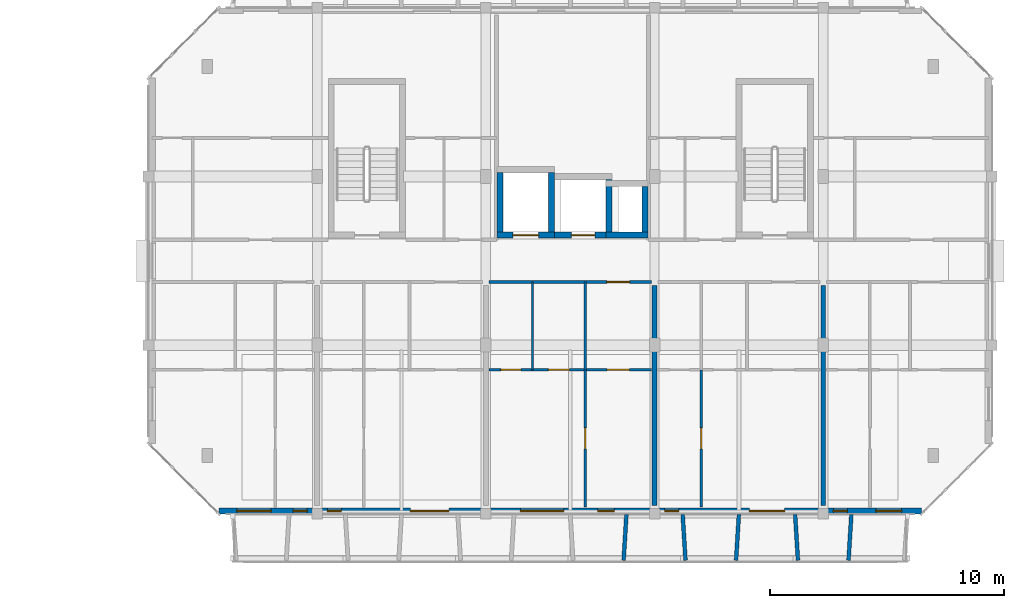
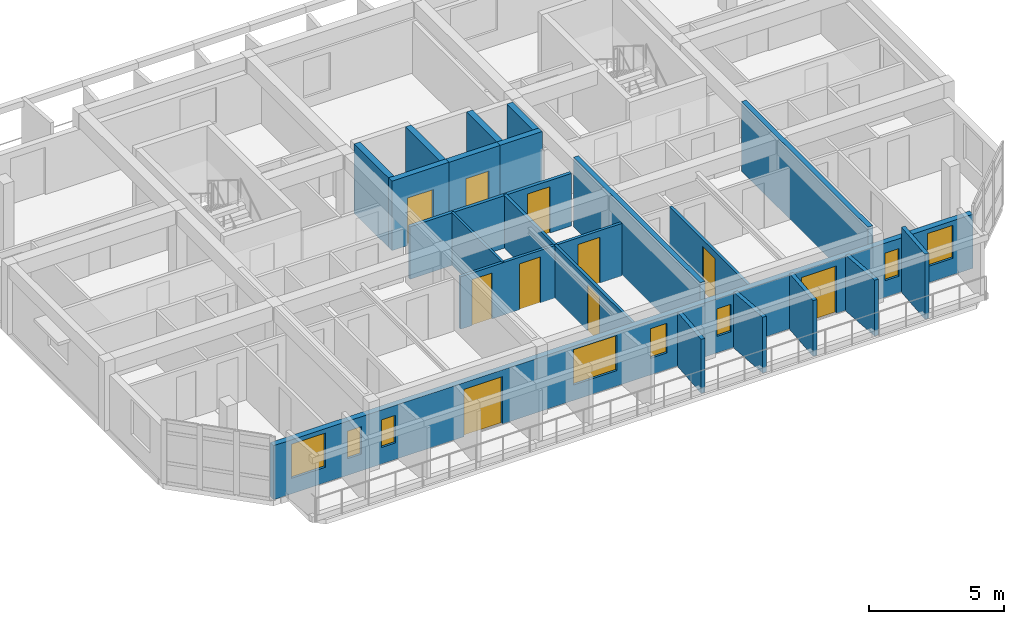
# One storey, part 17 of 31: 21 walls, 10 doors, 8 windows, 18 openings.
"""IFC4 building model written with IfcOpenShell, lengths in metres."""

from ifc_helpers import new_model, si_unit, direction, frame, frame_2d, origin, place, context, subcontext, project, spatial, rectangle, extrude, material, layer, layer_set, type_object, element, fill, save


model = new_model("IFC4")

# Units and contexts
model_context = context("Model", 3, precision=1e-05, world=origin(), true_north=direction((0.0, 1.0)))
body_context = subcontext(model_context, "Body", "Model", "MODEL_VIEW")
ifc_project = project(units=[si_unit("LENGTHUNIT", "METRE"), si_unit("AREAUNIT", "SQUARE_METRE"), si_unit("VOLUMEUNIT", "CUBIC_METRE"), si_unit("PLANEANGLEUNIT", "RADIAN"), si_unit("MASSUNIT", "GRAM", prefix="KILO")], contexts=[model_context])

# Site, building, storey
site_placement = place(None, origin())
site = spatial("IfcSite", under=ifc_project, at=site_placement, CompositionType="ELEMENT")
building_placement = place(site_placement, origin())
building = spatial("IfcBuilding", under=site, at=building_placement, Name="Ochrevale Crest", CompositionType="ELEMENT")
storey_placement = place(building_placement, frame((0.0, 0.0, 37.050048828125)))
storey = spatial("IfcBuildingStorey", under=building, at=storey_placement, Name="L11", CompositionType="ELEMENT", Elevation=37.050048828125)

# Wall, opening, door
ifc_material_1 = material(Name="Gypsum plasterboard", Category="gypsum")
ifc_layer_1 = layer(ifc_material_1, 0.139892578125)
ifc_layer_set_1 = layer_set([ifc_layer_1], Name="Gypsum plasterboard")
wall_type_1 = type_object("IfcWallType", Name="WL-COR-140", PredefinedType="PARTITIONING", material=ifc_layer_set_1)
wall_1_placement = place(storey_placement, frame((144.139892578125, 24.300048828125, 0.0), z_axis=(0.0, 0.0, 1.0), x_axis=(1.0, 0.0, 0.0)))
wall_1 = element("IfcWall", 1, at=wall_1_placement, inside=storey, type_object=wall_type_1, Name="Apartment C-L11-U3 corridor wall", PredefinedType="PARTITIONING", context=body_context, shape_type="SweptSolid", body=[
    extrude(rectangle(XDim=6.920166015625, YDim=0.139892578125, at=frame_2d((3.4599609375, 0.0))), origin(), (0.0, 0.0, 1.0), 2.3798828125),
])
opening_1_placement = place(wall_1_placement, frame((6.0, 0.0, 0.0), z_axis=(0.0, 0.0, 1.0), x_axis=(-1.0, 0.0, 0.0)))
opening_1 = element("IfcOpeningElement", 2, at=opening_1_placement, cuts=wall_1, Name="Opening FD01", PredefinedType="OPENING", context=body_context, shape_type="SweptSolid", body=[
    extrude(rectangle(XDim=0.97998046875, YDim=2.10009765625, at=frame_2d((0.489990234375, 1.050048828125))), frame((0.0, 0.080078125, 0.0), z_axis=(0.0, -1.0, 0.0), x_axis=(1.0, 0.0, 0.0)), (0.0, 0.0, 1.0), 0.159912109375),
])
ifc_material_2 = material(Name="Solid-core FSC hardwood", Category="wood")
door_type_1 = type_object("IfcDoorType", Name="DR-APT-950", OperationType="NOTDEFINED", PredefinedType="DOOR", material=ifc_material_2)
door_1_placement = place(opening_1_placement, origin())
door_1 = element("IfcDoor", 3, at=door_1_placement, inside=storey, type_object=door_type_1, Name="Apartment C-L11-U3 entrance door", OperationType="SINGLE_SWING_RIGHT", OverallHeight=2.10009765625, OverallWidth=0.97998046875, PredefinedType="DOOR", context=body_context, shape_type="SweptSolid", body=[
    extrude(rectangle(XDim=0.97998046875, YDim=2.10009765625, at=frame_2d((0.489990234375, 1.050048828125))), frame((0.0, 0.02490234375, 0.0), z_axis=(0.0, -1.0, 0.0), x_axis=(1.0, 0.0, 0.0)), (0.0, 0.0, 1.0), 0.050048828125),
])
fill(opening_1, door_1)

ifc_material_3 = material(Name="Precast concrete C50/60", Category="concrete")
ifc_layer_2 = layer(ifc_material_3, 0.2548828125)
ifc_layer_set_2 = layer_set([ifc_layer_2], Name="Precast concrete C50/60")
wall_type_2 = type_object("IfcWallType", Name="WL-CORE-255", PredefinedType="SHEAR", material=ifc_layer_set_2)
wall_2_placement = place(storey_placement, frame((144.472412109375, 26.300048828125, 0.0), z_axis=(0.0, 0.0, 1.0), x_axis=(1.0, 0.0, 0.0)))
wall_2 = element("IfcWall", 4, at=wall_2_placement, inside=storey, type_object=wall_type_2, Name="Block C L11 Lift 1 precast shaft shear wall S", PredefinedType="SHEAR", context=body_context, shape_type="SweptSolid", body=[
    extrude(rectangle(XDim=2.455078125, YDim=0.2548828125, at=frame_2d((1.2275390625, 0.0))), origin(), (0.0, 0.0, 1.0), 3.14990234375),
])
opening_2_placement = place(wall_2_placement, frame((0.677490234375, 0.0, 0.0)))
opening_2 = element("IfcOpeningElement", 5, at=opening_2_placement, cuts=wall_2, Name="Opening LD01", PredefinedType="OPENING", context=body_context, shape_type="SweptSolid", body=[
    extrude(rectangle(XDim=1.10009765625, YDim=2.14990234375, at=frame_2d((0.550048828125, 1.074951171875))), frame((0.0, 0.137451171875, 0.0), z_axis=(0.0, -1.0, 0.0), x_axis=(1.0, 0.0, 0.0)), (0.0, 0.0, 1.0), 0.27490234375),
])
door_type_2 = type_object("IfcDoorType", Name="DR-LIFT-1100", OperationType="NOTDEFINED", PredefinedType="DOOR", material=ifc_material_2)
door_2_placement = place(opening_2_placement, origin())
door_2 = element("IfcDoor", 6, at=door_2_placement, inside=storey, type_object=door_type_2, Name="Lift LF-C1 L11 sliding landing door", OperationType="SLIDING_TO_LEFT", OverallHeight=2.14990234375, OverallWidth=1.10009765625, PredefinedType="DOOR", context=body_context, shape_type="SweptSolid", body=[
    extrude(rectangle(XDim=1.10009765625, YDim=2.14990234375, at=frame_2d((0.550048828125, 1.074951171875))), frame((0.0, 0.02490234375, 0.0), z_axis=(0.0, -1.0, 0.0), x_axis=(1.0, 0.0, 0.0)), (0.0, 0.0, 1.0), 0.050048828125),
])
fill(opening_2, door_2)

# Walls
for number, where, z_axis, x_axis, name in (
    (7, (144.60009765625, 26.427490234375, 0.0), (0.0, 0.0, 1.0), (0.0, 1.0, 0.0), "Block C L11 Lift 1 precast shaft shear wall W"),
    (8, (146.800048828125, 26.427490234375, 0.0), (0.0, 0.0, 1.0), (0.0, 1.0, 0.0), "Block C L11 Lift 1 precast shaft shear wall E"),
):
    element("IfcWall", number, at=place(storey_placement, frame(where, z_axis=z_axis, x_axis=x_axis)), inside=storey, type_object=wall_type_2, Name=name, PredefinedType="SHEAR", context=body_context, shape_type="SweptSolid", body=[
        extrude(rectangle(XDim=2.544921875, YDim=0.2548828125, at=frame_2d((1.2724609375, 0.0))), origin(), (0.0, 0.0, 1.0), 3.14990234375),
    ])

# Wall, opening, door
wall_3_placement = place(storey_placement, frame((146.922607421875, 26.300048828125, 0.0), z_axis=(0.0, 0.0, 1.0), x_axis=(1.0, 0.0, 0.0)))
wall_3 = element("IfcWall", 9, at=wall_3_placement, inside=storey, type_object=wall_type_2, Name="Block C L11 Lift 2 precast shaft shear wall S", PredefinedType="SHEAR", context=body_context, shape_type="SweptSolid", body=[
    extrude(rectangle(XDim=2.454833984375, YDim=0.2548828125, at=frame_2d((1.2275390625, 0.0))), origin(), (0.0, 0.0, 1.0), 3.14990234375),
])
opening_3_placement = place(wall_3_placement, frame((0.7275390625, 0.0, 0.0)))
opening_3 = element("IfcOpeningElement", 10, at=opening_3_placement, cuts=wall_3, Name="Opening LD02", PredefinedType="OPENING", context=body_context, shape_type="SweptSolid", body=[
    extrude(rectangle(XDim=1.0, YDim=2.14990234375, at=frame_2d((0.5, 1.074951171875))), frame((0.0, 0.137451171875, 0.0), z_axis=(0.0, -1.0, 0.0), x_axis=(1.0, 0.0, 0.0)), (0.0, 0.0, 1.0), 0.27490234375),
])
door_type_3 = type_object("IfcDoorType", Name="DR-LIFT-1000", OperationType="NOTDEFINED", PredefinedType="DOOR", material=ifc_material_2)
door_3_placement = place(opening_3_placement, origin())
door_3 = element("IfcDoor", 11, at=door_3_placement, inside=storey, type_object=door_type_3, Name="Lift LP-C2 L11 sliding landing door", OperationType="SLIDING_TO_RIGHT", OverallHeight=2.14990234375, OverallWidth=1.0, PredefinedType="DOOR", context=body_context, shape_type="SweptSolid", body=[
    extrude(rectangle(XDim=1.0, YDim=2.14990234375, at=frame_2d((0.5, 1.074951171875))), frame((0.0, 0.02490234375, 0.0), z_axis=(0.0, -1.0, 0.0), x_axis=(1.0, 0.0, 0.0)), (0.0, 0.0, 1.0), 0.050048828125),
])
fill(opening_3, door_3)

# Walls
wall_4_placement = place(storey_placement, frame((149.25, 26.427490234375, 0.0), z_axis=(0.0, 0.0, 1.0), x_axis=(0.0, 1.0, 0.0)))
element("IfcWall", 12, at=wall_4_placement, inside=storey, type_object=wall_type_2, Name="Block C L11 Lift 2 precast shaft shear wall E", PredefinedType="SHEAR", context=body_context, shape_type="SweptSolid", body=[
    extrude(rectangle(XDim=2.2451171875, YDim=0.2548828125, at=frame_2d((1.12255859375, 0.0))), origin(), (0.0, 0.0, 1.0), 3.14990234375),
])
wall_5_placement = place(storey_placement, frame((149.12255859375, 26.300048828125, 0.0), z_axis=(0.0, 0.0, 1.0), x_axis=(1.0, 0.0, 0.0)))
element("IfcWall", 13, at=wall_5_placement, inside=storey, type_object=wall_type_2, Name="Block C L11 services riser shaft core wall S", PredefinedType="SHEAR", context=body_context, shape_type="SweptSolid", body=[
    extrude(rectangle(XDim=1.804931640625, YDim=0.2548828125, at=frame_2d((0.90234375, 0.0))), origin(), (0.0, 0.0, 1.0), 3.14990234375),
])
wall_6_placement = place(storey_placement, frame((150.800048828125, 26.427490234375, 0.0), z_axis=(0.0, 0.0, 1.0), x_axis=(0.0, 1.0, 0.0)))
element("IfcWall", 14, at=wall_6_placement, inside=storey, type_object=wall_type_2, Name="Block C L11 services riser shaft core wall E", PredefinedType="SHEAR", context=body_context, shape_type="SweptSolid", body=[
    extrude(rectangle(XDim=1.945068359375, YDim=0.2548828125, at=frame_2d((0.97265625, 0.0))), origin(), (0.0, 0.0, 1.0), 3.14990234375),
])

# Wall, openings, doors, windows
ifc_material_4 = material(Name="Precast concrete C40/50", Category="concrete")
ifc_layer_3 = layer(ifc_material_4, 0.25)
ifc_layer_set_3 = layer_set([ifc_layer_3], Name="Precast concrete C40/50")
wall_type_3 = type_object("IfcWallType", Name="WL-EXT-GOLD-250", PredefinedType="SOLIDWALL", material=ifc_layer_set_3)
wall_7_placement = place(storey_placement, frame((132.60009765625, 14.52490234375, 0.0), z_axis=(0.0, 0.0, 1.0), x_axis=(1.0, 0.0, 0.0)))
wall_7 = element("IfcWall", 15, at=wall_7_placement, inside=storey, type_object=wall_type_3, Name="Block C L11 external facade wall E1", PredefinedType="SOLIDWALL", context=body_context, shape_type="SweptSolid", body=[
    extrude(rectangle(XDim=30.0, YDim=0.25, at=frame_2d((15.0, 0.0))), origin(), (0.0, 0.0, 1.0), 2.449951171875),
])
opening_4_placement = place(wall_7_placement, frame((9.824951171875, 0.0, 0.0), z_axis=(0.0, 0.0, 1.0), x_axis=(-1.0, 0.0, 0.0)))
opening_4 = element("IfcOpeningElement", 16, at=opening_4_placement, cuts=wall_7, Name="Opening BD02", PredefinedType="OPENING", context=body_context, shape_type="SweptSolid", body=[
    extrude(rectangle(XDim=1.64990234375, YDim=2.14990234375, at=frame_2d((0.824951171875, 1.074951171875))), frame((0.0, 0.135009765625, 0.0), z_axis=(0.0, -1.0, 0.0), x_axis=(1.0, 0.0, 0.0)), (0.0, 0.0, 1.0), 0.27001953125),
])
opening_5_placement = place(wall_7_placement, frame((24.14990234375, 0.0, 0.0), z_axis=(0.0, 0.0, 1.0), x_axis=(-1.0, 0.0, 0.0)))
opening_5 = element("IfcOpeningElement", 17, at=opening_5_placement, cuts=wall_7, Name="Opening BD01", PredefinedType="OPENING", context=body_context, shape_type="SweptSolid", body=[
    extrude(rectangle(XDim=1.5, YDim=2.14990234375, at=frame_2d((0.75, 1.074951171875))), frame((0.0, 0.135009765625, 0.0), z_axis=(0.0, -1.0, 0.0), x_axis=(1.0, 0.0, 0.0)), (0.0, 0.0, 1.0), 0.27001953125),
])
opening_6_placement = place(wall_7_placement, frame((0.77001953125, 0.0, 0.699951171875)))
opening_6 = element("IfcOpeningElement", 18, at=opening_6_placement, cuts=wall_7, Name="Opening W08", PredefinedType="OPENING", context=body_context, shape_type="SweptSolid", body=[
    extrude(rectangle(XDim=1.4599609375, YDim=1.550048828125, at=frame_2d((0.72998046875, 0.77490234375))), frame((0.0, 0.135009765625, 0.0), z_axis=(0.0, -1.0, 0.0), x_axis=(1.0, 0.0, 0.0)), (0.0, 0.0, 1.0), 0.27001953125),
])
opening_7_placement = place(wall_7_placement, frame((3.16748046875, 0.0, 0.75)))
opening_7 = element("IfcOpeningElement", 19, at=opening_7_placement, cuts=wall_7, Name="Opening W01", PredefinedType="OPENING", context=body_context, shape_type="SweptSolid", body=[
    extrude(rectangle(XDim=0.60009765625, YDim=1.25, at=frame_2d((0.300048828125, 0.625))), frame((0.0, 0.135009765625, 0.0), z_axis=(0.0, -1.0, 0.0), x_axis=(1.0, 0.0, 0.0)), (0.0, 0.0, 1.0), 0.27001953125),
])
opening_8_placement = place(wall_7_placement, frame((4.632568359375, 0.0, 0.75)))
opening_8 = element("IfcOpeningElement", 20, at=opening_8_placement, cuts=wall_7, Name="Opening W01", PredefinedType="OPENING", context=body_context, shape_type="SweptSolid", body=[
    extrude(rectangle(XDim=0.60009765625, YDim=1.25, at=frame_2d((0.300048828125, 0.625))), frame((0.0, 0.135009765625, 0.0), z_axis=(0.0, -1.0, 0.0), x_axis=(1.0, 0.0, 0.0)), (0.0, 0.0, 1.0), 0.27001953125),
])
opening_9_placement = place(wall_7_placement, frame((12.8701171875, 0.0, 0.699951171875)))
opening_9 = element("IfcOpeningElement", 21, at=opening_9_placement, cuts=wall_7, Name="Opening W11", PredefinedType="OPENING", context=body_context, shape_type="SweptSolid", body=[
    extrude(rectangle(XDim=1.860107421875, YDim=1.60009765625, at=frame_2d((0.93017578125, 0.800048828125))), frame((0.0, 0.135009765625, 0.0), z_axis=(0.0, -1.0, 0.0), x_axis=(1.0, 0.0, 0.0)), (0.0, 0.0, 1.0), 0.27001953125),
])
opening_10_placement = place(wall_7_placement, frame((16.1650390625, 0.0, 0.75)))
opening_10 = element("IfcOpeningElement", 22, at=opening_10_placement, cuts=wall_7, Name="Opening W02", PredefinedType="OPENING", context=body_context, shape_type="SweptSolid", body=[
    extrude(rectangle(XDim=0.719970703125, YDim=1.35009765625, at=frame_2d((0.35986328125, 0.675048828125))), frame((0.0, 0.135009765625, 0.0), z_axis=(0.0, -1.0, 0.0), x_axis=(1.0, 0.0, 0.0)), (0.0, 0.0, 1.0), 0.27001953125),
])
opening_11_placement = place(wall_7_placement, frame((19.032470703125, 0.0, 0.75)))
opening_11 = element("IfcOpeningElement", 23, at=opening_11_placement, cuts=wall_7, Name="Opening W01", PredefinedType="OPENING", context=body_context, shape_type="SweptSolid", body=[
    extrude(rectangle(XDim=0.60009765625, YDim=1.25, at=frame_2d((0.300048828125, 0.625))), frame((0.0, 0.135009765625, 0.0), z_axis=(0.0, -1.0, 0.0), x_axis=(1.0, 0.0, 0.0)), (0.0, 0.0, 1.0), 0.27001953125),
])
opening_12_placement = place(wall_7_placement, frame((26.232421875, 0.0, 0.75)))
opening_12 = element("IfcOpeningElement", 24, at=opening_12_placement, cuts=wall_7, Name="Opening W01", PredefinedType="OPENING", context=body_context, shape_type="SweptSolid", body=[
    extrude(rectangle(XDim=0.60009765625, YDim=1.25, at=frame_2d((0.300048828125, 0.625))), frame((0.0, 0.135009765625, 0.0), z_axis=(0.0, -1.0, 0.0), x_axis=(1.0, 0.0, 0.0)), (0.0, 0.0, 1.0), 0.27001953125),
])
opening_13_placement = place(wall_7_placement, frame((28.050048828125, 0.0, 0.75)))
opening_13 = element("IfcOpeningElement", 25, at=opening_13_placement, cuts=wall_7, Name="Opening W05", PredefinedType="OPENING", context=body_context, shape_type="SweptSolid", body=[
    extrude(rectangle(XDim=1.10009765625, YDim=1.5, at=frame_2d((0.550048828125, 0.75))), frame((0.0, 0.135009765625, 0.0), z_axis=(0.0, -1.0, 0.0), x_axis=(1.0, 0.0, 0.0)), (0.0, 0.0, 1.0), 0.27001953125),
])
ifc_material_5 = material(Name="Anodised aluminium 6063-T5 and toughened glass", Category="aluminium")
door_type_4 = type_object("IfcDoorType", Name="DR-BAL-1500", OperationType="NOTDEFINED", PredefinedType="DOOR", material=ifc_material_5)
door_4_placement = place(opening_5_placement, origin())
door_4 = element("IfcDoor", 26, at=door_4_placement, inside=storey, type_object=door_type_4, Name="Block C L11 balcony door S4", OperationType="SINGLE_SWING_LEFT", OverallHeight=2.14990234375, OverallWidth=1.5, PredefinedType="DOOR", context=body_context, shape_type="SweptSolid", body=[
    extrude(rectangle(XDim=1.5, YDim=2.14990234375, at=frame_2d((0.75, 1.074951171875))), frame((0.0, 0.02490234375, 0.0), z_axis=(0.0, -1.0, 0.0), x_axis=(1.0, 0.0, 0.0)), (0.0, 0.0, 1.0), 0.050048828125),
])
fill(opening_5, door_4)
door_type_5 = type_object("IfcDoorType", Name="DR-BAL-1650", OperationType="NOTDEFINED", PredefinedType="DOOR", material=ifc_material_5)
door_5_placement = place(opening_4_placement, origin())
door_5 = element("IfcDoor", 27, at=door_5_placement, inside=storey, type_object=door_type_5, Name="Block C L11 balcony door S2", OperationType="SINGLE_SWING_RIGHT", OverallHeight=2.14990234375, OverallWidth=1.64990234375, PredefinedType="DOOR", context=body_context, shape_type="SweptSolid", body=[
    extrude(rectangle(XDim=1.64990234375, YDim=2.14990234375, at=frame_2d((0.824951171875, 1.074951171875))), frame((0.0, 0.02490234375, 0.0), z_axis=(0.0, -1.0, 0.0), x_axis=(1.0, 0.0, 0.0)), (0.0, 0.0, 1.0), 0.050048828125),
])
fill(opening_4, door_5)
ifc_material_6 = material(Name="Anodised aluminium 6063-T5 and low-E double glazing", Category="aluminium")
window_type_1 = type_object("IfcWindowType", Name="WIN-W01", PartitioningType="SINGLE_PANEL", PredefinedType="WINDOW", material=ifc_material_6)
window_1_placement = place(opening_7_placement, origin())
window_1 = element("IfcWindow", 28, at=window_1_placement, inside=storey, type_object=window_type_1, Name="Block C L11 Apartment C-L11-U1 Two Bedroom Living Room window", OverallHeight=1.25, OverallWidth=0.60009765625, PartitioningType="SINGLE_PANEL", PredefinedType="WINDOW", context=body_context, shape_type="SweptSolid", body=[
    extrude(rectangle(XDim=0.60009765625, YDim=1.25, at=frame_2d((0.300048828125, 0.625))), frame((0.0, 0.030029296875, 0.0), z_axis=(0.0, -1.0, 0.0), x_axis=(1.0, 0.0, 0.0)), (0.0, 0.0, 1.0), 0.06005859375),
])
fill(opening_7, window_1)
window_2_placement = place(opening_8_placement, origin())
window_2 = element("IfcWindow", 29, at=window_2_placement, inside=storey, type_object=window_type_1, Name="Block C L11 Apartment C-L11-U2 Master Bedroom window", OverallHeight=1.25, OverallWidth=0.60009765625, PartitioningType="SINGLE_PANEL", PredefinedType="WINDOW", context=body_context, shape_type="SweptSolid", body=[
    extrude(rectangle(XDim=0.60009765625, YDim=1.25, at=frame_2d((0.300048828125, 0.625))), frame((0.0, 0.030029296875, 0.0), z_axis=(0.0, -1.0, 0.0), x_axis=(1.0, 0.0, 0.0)), (0.0, 0.0, 1.0), 0.06005859375),
])
fill(opening_8, window_2)
window_3_placement = place(opening_11_placement, origin())
window_3 = element("IfcWindow", 30, at=window_3_placement, inside=storey, type_object=window_type_1, Name="Block C L11 Apartment C-L11-U4 Double Bedroom window", OverallHeight=1.25, OverallWidth=0.60009765625, PartitioningType="SINGLE_PANEL", PredefinedType="WINDOW", context=body_context, shape_type="SweptSolid", body=[
    extrude(rectangle(XDim=0.60009765625, YDim=1.25, at=frame_2d((0.300048828125, 0.625))), frame((0.0, 0.030029296875, 0.0), z_axis=(0.0, -1.0, 0.0), x_axis=(1.0, 0.0, 0.0)), (0.0, 0.0, 1.0), 0.06005859375),
])
fill(opening_11, window_3)
window_4_placement = place(opening_12_placement, origin())
window_4 = element("IfcWindow", 31, at=window_4_placement, inside=storey, type_object=window_type_1, Name="Block C L11 Apartment C-L11-U5 Master Bedroom window", OverallHeight=1.25, OverallWidth=0.60009765625, PartitioningType="SINGLE_PANEL", PredefinedType="WINDOW", context=body_context, shape_type="SweptSolid", body=[
    extrude(rectangle(XDim=0.60009765625, YDim=1.25, at=frame_2d((0.300048828125, 0.625))), frame((0.0, 0.030029296875, 0.0), z_axis=(0.0, -1.0, 0.0), x_axis=(1.0, 0.0, 0.0)), (0.0, 0.0, 1.0), 0.06005859375),
])
fill(opening_12, window_4)
window_type_2 = type_object("IfcWindowType", Name="WIN-W02", PartitioningType="SINGLE_PANEL", PredefinedType="WINDOW", material=ifc_material_6)
window_5_placement = place(opening_10_placement, origin())
window_5 = element("IfcWindow", 32, at=window_5_placement, inside=storey, type_object=window_type_2, Name="Block C L11 Apartment C-L11-U3 Three Bedroom Family Living window", OverallHeight=1.35009765625, OverallWidth=0.719970703125, PartitioningType="SINGLE_PANEL", PredefinedType="WINDOW", context=body_context, shape_type="SweptSolid", body=[
    extrude(rectangle(XDim=0.719970703125, YDim=1.35009765625, at=frame_2d((0.35986328125, 0.675048828125))), frame((0.0, 0.030029296875, 0.0), z_axis=(0.0, -1.0, 0.0), x_axis=(1.0, 0.0, 0.0)), (0.0, 0.0, 1.0), 0.06005859375),
])
fill(opening_10, window_5)
window_type_3 = type_object("IfcWindowType", Name="WIN-W05", PartitioningType="SINGLE_PANEL", PredefinedType="WINDOW", material=ifc_material_6)
window_6_placement = place(opening_13_placement, origin())
window_6 = element("IfcWindow", 33, at=window_6_placement, inside=storey, type_object=window_type_3, Name="Block C L11 Apartment C-L11-U5 One Bedroom Living Room window", OverallHeight=1.5, OverallWidth=1.10009765625, PartitioningType="SINGLE_PANEL", PredefinedType="WINDOW", context=body_context, shape_type="SweptSolid", body=[
    extrude(rectangle(XDim=1.10009765625, YDim=1.5, at=frame_2d((0.550048828125, 0.75))), frame((0.0, 0.030029296875, 0.0), z_axis=(0.0, -1.0, 0.0), x_axis=(1.0, 0.0, 0.0)), (0.0, 0.0, 1.0), 0.06005859375),
])
fill(opening_13, window_6)
window_type_4 = type_object("IfcWindowType", Name="WIN-W08", PartitioningType="SINGLE_PANEL", PredefinedType="WINDOW", material=ifc_material_6)
window_7_placement = place(opening_6_placement, origin())
window_7 = element("IfcWindow", 34, at=window_7_placement, inside=storey, type_object=window_type_4, Name="Block C L11 Apartment C-L11-U1 Double Bedroom window", OverallHeight=1.550048828125, OverallWidth=1.4599609375, PartitioningType="SINGLE_PANEL", PredefinedType="WINDOW", context=body_context, shape_type="SweptSolid", body=[
    extrude(rectangle(XDim=1.4599609375, YDim=1.550048828125, at=frame_2d((0.72998046875, 0.77490234375))), frame((0.0, 0.030029296875, 0.0), z_axis=(0.0, -1.0, 0.0), x_axis=(1.0, 0.0, 0.0)), (0.0, 0.0, 1.0), 0.06005859375),
])
fill(opening_6, window_7)
window_type_5 = type_object("IfcWindowType", Name="WIN-W11", PartitioningType="SINGLE_PANEL", PredefinedType="WINDOW", material=ifc_material_6)
window_8_placement = place(opening_9_placement, origin())
window_8 = element("IfcWindow", 35, at=window_8_placement, inside=storey, type_object=window_type_5, Name="Block C L11 Apartment C-L11-U3 Twin Bedroom window", OverallHeight=1.60009765625, OverallWidth=1.860107421875, PartitioningType="SINGLE_PANEL", PredefinedType="WINDOW", context=body_context, shape_type="SweptSolid", body=[
    extrude(rectangle(XDim=1.860107421875, YDim=1.60009765625, at=frame_2d((0.93017578125, 0.800048828125))), frame((0.0, 0.030029296875, 0.0), z_axis=(0.0, -1.0, 0.0), x_axis=(1.0, 0.0, 0.0)), (0.0, 0.0, 1.0), 0.06005859375),
])
fill(opening_9, window_8)

# Walls
ifc_layer_4 = layer(ifc_material_4, 0.1650390625)
ifc_layer_set_4 = layer_set([ifc_layer_4], Name="Precast concrete C40/50")
wall_type_4 = type_object("IfcWallType", Name="WL-HC-CHEEK-165", PredefinedType="ELEMENTEDWALL", material=ifc_layer_set_4)
wall_8_placement = place(storey_placement, frame((150.0, 14.3798828125, 0.0), z_axis=(0.0, 0.0, 1.0), x_axis=(-0.061170732449, -0.998127317276, 0.0)))
element("IfcWall", 36, at=wall_8_placement, inside=storey, type_object=wall_type_4, Name="Block C L11 S precast honeycomb cheek 8", PredefinedType="ELEMENTEDWALL", context=body_context, shape_type="SweptSolid", body=[
    extrude(rectangle(XDim=1.963623046875, YDim=0.1650390625, at=frame_2d((0.98193359375, 0.0))), origin(), (0.0, 0.0, 1.0), 2.449951171875),
])
for number, where, z_axis, x_axis, name in (
    (37, (152.39990234375, 14.3798828125, 0.0), (0.0, 0.0, 1.0), (0.061170732449, -0.998127317276, 0.0), "Block C L11 S precast honeycomb cheek 9"),
    (38, (154.800048828125, 14.3798828125, 0.0), (0.0, 0.0, 1.0), (-0.061170732449, -0.998127317276, 0.0), "Block C L11 S precast honeycomb cheek 10"),
    (39, (157.199951171875, 14.3798828125, 0.0), (0.0, 0.0, 1.0), (0.061170732449, -0.998127317276, 0.0), "Block C L11 S precast honeycomb cheek 11"),
):
    element("IfcWall", number, at=place(storey_placement, frame(where, z_axis=z_axis, x_axis=x_axis)), inside=storey, type_object=wall_type_4, Name=name, PredefinedType="ELEMENTEDWALL", context=body_context, shape_type="SweptSolid", body=[
        extrude(rectangle(XDim=1.963623046875, YDim=0.1650390625, at=frame_2d((0.98193359375, 0.0))), origin(), (0.0, 0.0, 1.0), 2.530029296875),
    ])
wall_9_placement = place(storey_placement, frame((159.60009765625, 14.3798828125, 0.0), z_axis=(0.0, 0.0, 1.0), x_axis=(-0.061170732449, -0.998127317276, 0.0)))
element("IfcWall", 40, at=wall_9_placement, inside=storey, type_object=wall_type_4, Name="Block C L11 S precast honeycomb cheek 12", PredefinedType="ELEMENTEDWALL", context=body_context, shape_type="SweptSolid", body=[
    extrude(rectangle(XDim=1.963623046875, YDim=0.1650390625, at=frame_2d((0.98193359375, 0.0))), origin(), (0.0, 0.0, 1.0), 2.949951171875),
])
ifc_layer_5 = layer(ifc_material_1, 0.1201171875)
ifc_layer_set_5 = layer_set([ifc_layer_5], Name="Gypsum plasterboard")
wall_type_5 = type_object("IfcWallType", Name="WL-PART-120", PredefinedType="PARTITIONING", material=ifc_layer_set_5)
wall_10_placement = place(storey_placement, frame((148.239990234375, 20.550048828125, 0.0), z_axis=(0.0, 0.0, 1.0), x_axis=(0.0, 1.0, 0.0)))
element("IfcWall", 41, at=wall_10_placement, inside=storey, type_object=wall_type_5, Name="Apartment C-L11-U3 kitchen-foyer wall", PredefinedType="PARTITIONING", context=body_context, shape_type="SweptSolid", body=[
    extrude(rectangle(XDim=3.75, YDim=0.1201171875, at=frame_2d((1.875, 0.0))), origin(), (0.0, 0.0, 1.0), 2.3798828125),
])

# Wall, openings, doors
wall_11_placement = place(storey_placement, frame((144.139892578125, 20.550048828125, 0.0), z_axis=(0.0, 0.0, 1.0), x_axis=(1.0, 0.0, 0.0)))
wall_11 = element("IfcWall", 42, at=wall_11_placement, inside=storey, type_object=wall_type_5, Name="Apartment C-L11-U3 central partition", PredefinedType="PARTITIONING", context=body_context, shape_type="SweptSolid", body=[
    extrude(rectangle(XDim=6.920166015625, YDim=0.1201171875, at=frame_2d((3.4599609375, 0.0))), origin(), (0.0, 0.0, 1.0), 2.3798828125),
])
opening_14_placement = place(wall_11_placement, frame((0.5, 0.0, 0.0)))
opening_14 = element("IfcOpeningElement", 43, at=opening_14_placement, cuts=wall_11, Name="Opening ID01", PredefinedType="OPENING", context=body_context, shape_type="SweptSolid", body=[
    extrude(rectangle(XDim=0.85009765625, YDim=2.080078125, at=frame_2d((0.425048828125, 1.0400390625))), frame((0.0, 0.070068359375, 0.0), z_axis=(0.0, -1.0, 0.0), x_axis=(1.0, 0.0, 0.0)), (0.0, 0.0, 1.0), 0.14013671875),
])
opening_15_placement = place(wall_11_placement, frame((3.4248046875, 0.0, 0.0), z_axis=(0.0, 0.0, 1.0), x_axis=(-1.0, 0.0, 0.0)))
opening_15 = element("IfcOpeningElement", 44, at=opening_15_placement, cuts=wall_11, Name="Opening ID02", PredefinedType="OPENING", context=body_context, shape_type="SweptSolid", body=[
    extrude(rectangle(XDim=0.89990234375, YDim=2.080078125, at=frame_2d((0.449951171875, 1.0400390625))), frame((0.0, 0.070068359375, 0.0), z_axis=(0.0, -1.0, 0.0), x_axis=(1.0, 0.0, 0.0)), (0.0, 0.0, 1.0), 0.14013671875),
])
opening_16_placement = place(wall_11_placement, frame((5.034912109375, 0.0, 0.0)))
opening_16 = element("IfcOpeningElement", 45, at=opening_16_placement, cuts=wall_11, Name="Opening ID06", PredefinedType="OPENING", context=body_context, shape_type="SweptSolid", body=[
    extrude(rectangle(XDim=0.949951171875, YDim=2.080078125, at=frame_2d((0.47509765625, 1.0400390625))), frame((0.0, 0.070068359375, 0.0), z_axis=(0.0, -1.0, 0.0), x_axis=(1.0, 0.0, 0.0)), (0.0, 0.0, 1.0), 0.14013671875),
])
door_type_6 = type_object("IfcDoorType", Name="DR-INT-900", OperationType="NOTDEFINED", PredefinedType="DOOR", material=ifc_material_2)
door_6_placement = place(opening_15_placement, origin())
door_6 = element("IfcDoor", 46, at=door_6_placement, inside=storey, type_object=door_type_6, Name="Apartment C-L11-U3 Kitchen door", OperationType="SINGLE_SWING_RIGHT", OverallHeight=2.080078125, OverallWidth=0.89990234375, PredefinedType="DOOR", context=body_context, shape_type="SweptSolid", body=[
    extrude(rectangle(XDim=0.89990234375, YDim=2.080078125, at=frame_2d((0.449951171875, 1.0400390625))), frame((0.0, 0.02490234375, 0.0), z_axis=(0.0, -1.0, 0.0), x_axis=(1.0, 0.0, 0.0)), (0.0, 0.0, 1.0), 0.050048828125),
])
fill(opening_15, door_6)
door_type_7 = type_object("IfcDoorType", Name="DR-INT-950", OperationType="NOTDEFINED", PredefinedType="DOOR", material=ifc_material_2)
door_7_placement = place(opening_16_placement, origin())
door_7 = element("IfcDoor", 47, at=door_7_placement, inside=storey, type_object=door_type_7, Name="Apartment C-L11-U3 Living Foyer door", OperationType="SINGLE_SWING_LEFT", OverallHeight=2.080078125, OverallWidth=0.949951171875, PredefinedType="DOOR", context=body_context, shape_type="SweptSolid", body=[
    extrude(rectangle(XDim=0.949951171875, YDim=2.080078125, at=frame_2d((0.47509765625, 1.0400390625))), frame((0.0, 0.02490234375, 0.0), z_axis=(0.0, -1.0, 0.0), x_axis=(1.0, 0.0, 0.0)), (0.0, 0.0, 1.0), 0.050048828125),
])
fill(opening_16, door_7)
door_type_8 = type_object("IfcDoorType", Name="DR-WC-850", OperationType="NOTDEFINED", PredefinedType="DOOR", material=ifc_material_2)
door_8_placement = place(opening_14_placement, origin())
door_8 = element("IfcDoor", 48, at=door_8_placement, inside=storey, type_object=door_type_8, Name="Apartment C-L11-U3 Bathroom door", OperationType="SINGLE_SWING_LEFT", OverallHeight=2.080078125, OverallWidth=0.85009765625, PredefinedType="DOOR", context=body_context, shape_type="SweptSolid", body=[
    extrude(rectangle(XDim=0.85009765625, YDim=2.080078125, at=frame_2d((0.425048828125, 1.0400390625))), frame((0.0, 0.02490234375, 0.0), z_axis=(0.0, -1.0, 0.0), x_axis=(1.0, 0.0, 0.0)), (0.0, 0.0, 1.0), 0.050048828125),
])
fill(opening_14, door_8)

# Wall, opening, door
wall_12_placement = place(storey_placement, frame((148.239990234375, 14.699951171875, 0.0), z_axis=(0.0, 0.0, 1.0), x_axis=(0.0, 1.0, 0.0)))
wall_12 = element("IfcWall", 49, at=wall_12_placement, inside=storey, type_object=wall_type_5, Name="Apartment C-L11-U3 bedroom partition", PredefinedType="PARTITIONING", context=body_context, shape_type="SweptSolid", body=[
    extrude(rectangle(XDim=5.85009765625, YDim=0.1201171875, at=frame_2d((2.925048828125, 0.0))), origin(), (0.0, 0.0, 1.0), 2.3798828125),
])
opening_17_placement = place(wall_12_placement, frame((3.375, 0.0, 0.0), z_axis=(0.0, 0.0, 1.0), x_axis=(-1.0, 0.0, 0.0)))
opening_17 = element("IfcOpeningElement", 50, at=opening_17_placement, cuts=wall_12, Name="Opening ID02", PredefinedType="OPENING", context=body_context, shape_type="SweptSolid", body=[
    extrude(rectangle(XDim=0.89990234375, YDim=2.080078125, at=frame_2d((0.449951171875, 1.0400390625))), frame((0.0, 0.070068359375, 0.0), z_axis=(0.0, -1.0, 0.0), x_axis=(1.0, 0.0, 0.0)), (0.0, 0.0, 1.0), 0.14013671875),
])
door_9_placement = place(opening_17_placement, origin())
door_9 = element("IfcDoor", 51, at=door_9_placement, inside=storey, type_object=door_type_6, Name="Apartment C-L11-U3 Twin Bedroom door", OperationType="SINGLE_SWING_RIGHT", OverallHeight=2.080078125, OverallWidth=0.89990234375, PredefinedType="DOOR", context=body_context, shape_type="SweptSolid", body=[
    extrude(rectangle(XDim=0.89990234375, YDim=2.080078125, at=frame_2d((0.449951171875, 1.0400390625))), frame((0.0, 0.02490234375, 0.0), z_axis=(0.0, -1.0, 0.0), x_axis=(1.0, 0.0, 0.0)), (0.0, 0.0, 1.0), 0.050048828125),
])
fill(opening_17, door_9)

wall_13_placement = place(storey_placement, frame((153.18994140625, 14.699951171875, 0.0), z_axis=(0.0, 0.0, 1.0), x_axis=(0.0, 1.0, 0.0)))
wall_13 = element("IfcWall", 52, at=wall_13_placement, inside=storey, type_object=wall_type_5, Name="Apartment C-L11-U4 bedroom partition", PredefinedType="PARTITIONING", context=body_context, shape_type="SweptSolid", body=[
    extrude(rectangle(XDim=5.85009765625, YDim=0.1201171875, at=frame_2d((2.925048828125, 0.0))), origin(), (0.0, 0.0, 1.0), 2.3798828125),
])
opening_18_placement = place(wall_13_placement, frame((2.47509765625, 0.0, 0.0)))
opening_18 = element("IfcOpeningElement", 53, at=opening_18_placement, cuts=wall_13, Name="Opening ID02", PredefinedType="OPENING", context=body_context, shape_type="SweptSolid", body=[
    extrude(rectangle(XDim=0.89990234375, YDim=2.080078125, at=frame_2d((0.449951171875, 1.0400390625))), frame((0.0, 0.070068359375, 0.0), z_axis=(0.0, -1.0, 0.0), x_axis=(1.0, 0.0, 0.0)), (0.0, 0.0, 1.0), 0.14013671875),
])
door_10_placement = place(opening_18_placement, origin())
door_10 = element("IfcDoor", 54, at=door_10_placement, inside=storey, type_object=door_type_6, Name="Apartment C-L11-U4 Double Bedroom door", OperationType="SINGLE_SWING_LEFT", OverallHeight=2.080078125, OverallWidth=0.89990234375, PredefinedType="DOOR", context=body_context, shape_type="SweptSolid", body=[
    extrude(rectangle(XDim=0.89990234375, YDim=2.080078125, at=frame_2d((0.449951171875, 1.0400390625))), frame((0.0, 0.02490234375, 0.0), z_axis=(0.0, -1.0, 0.0), x_axis=(1.0, 0.0, 0.0)), (0.0, 0.0, 1.0), 0.050048828125),
])
fill(opening_18, door_10)

# Walls
ifc_layer_6 = layer(ifc_material_4, 0.2099609375)
ifc_layer_set_6 = layer_set([ifc_layer_6], Name="Precast concrete C40/50")
wall_type_6 = type_object("IfcWallType", Name="WL-SHEAR-210", PredefinedType="SHEAR", material=ifc_layer_set_6)
for number, where, z_axis, x_axis, name in (
    (55, (151.199951171875, 14.75, 0.0), (0.0, 0.0, 1.0), (0.0, 1.0, 0.0), "Block C L11 load-bearing precast cross-wall X=151.2"),
    (56, (158.39990234375, 14.75, 0.0), (0.0, 0.0, 1.0), (0.0, 1.0, 0.0), "Block C L11 load-bearing precast cross-wall X=158.4"),
):
    element("IfcWall", number, at=place(storey_placement, frame(where, z_axis=z_axis, x_axis=x_axis)), inside=storey, type_object=wall_type_6, Name=name, PredefinedType="SHEAR", context=body_context, shape_type="SweptSolid", body=[
        extrude(rectangle(XDim=9.39990234375, YDim=0.2099609375, at=frame_2d((4.699951171875, 0.0))), origin(), (0.0, 0.0, 1.0), 3.14990234375),
    ])
ifc_layer_7 = layer(ifc_material_1, 0.10009765625)
ifc_layer_set_7 = layer_set([ifc_layer_7], Name="Gypsum plasterboard")
wall_type_7 = type_object("IfcWallType", Name="WL-WET-100", PredefinedType="PARTITIONING", material=ifc_layer_set_7)
wall_14_placement = place(storey_placement, frame((145.989990234375, 20.550048828125, 0.0), z_axis=(0.0, 0.0, 1.0), x_axis=(0.0, 1.0, 0.0)))
element("IfcWall", 57, at=wall_14_placement, inside=storey, type_object=wall_type_7, Name="Apartment C-L11-U3 bath-kitchen wall", PredefinedType="PARTITIONING", context=body_context, shape_type="SweptSolid", body=[
    extrude(rectangle(XDim=3.75, YDim=0.10009765625, at=frame_2d((1.875, 0.0))), origin(), (0.0, 0.0, 1.0), 2.3798828125),
])

save(model, "model.ifc")
